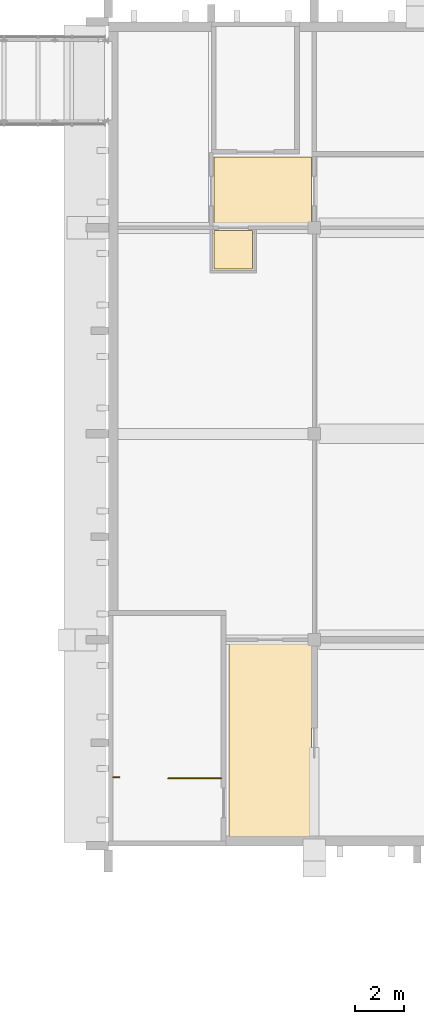
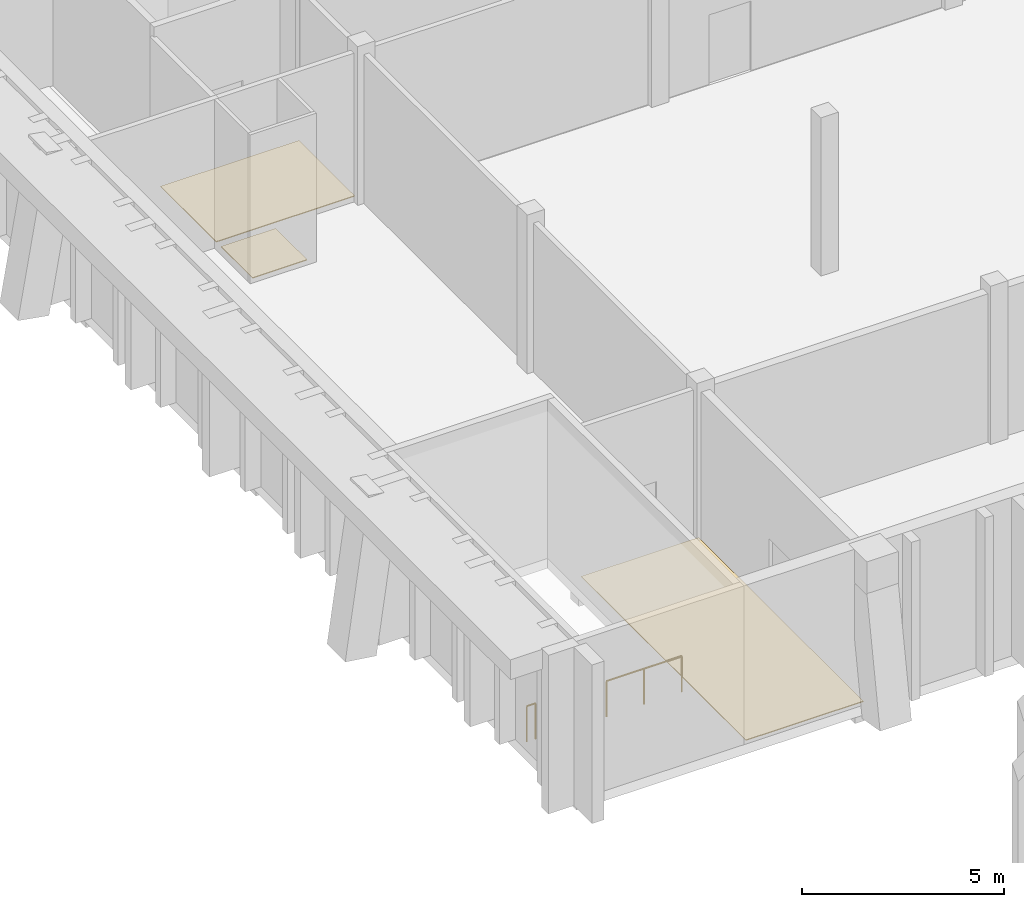
# One storey, part 79 of 86: 3 coverings, 2 railings.
"""IFC4 building model written with IfcOpenShell, lengths in metres."""

from ifc_helpers import new_model, si_unit, direction, frame, origin, origin_2d, place, context, subcontext, project, spatial, polyline, circle, outline, extrude, material, layer, layer_set, type_object, element, save


model = new_model("IFC4")

# Units and contexts
model_context = context("Model", 3, precision=1e-05, world=origin(), true_north=direction((0.0, 1.0)))
body_context = subcontext(model_context, "Body", "Model", "MODEL_VIEW")
ifc_project = project(units=[si_unit("LENGTHUNIT", "METRE"), si_unit("AREAUNIT", "SQUARE_METRE"), si_unit("VOLUMEUNIT", "CUBIC_METRE"), si_unit("PLANEANGLEUNIT", "RADIAN"), si_unit("MASSUNIT", "GRAM", prefix="KILO")], contexts=[model_context])

# Site, building, storey
site_placement = place(None, origin())
site = spatial("IfcSite", under=ifc_project, at=site_placement, CompositionType="ELEMENT")
building_placement = place(site_placement, origin())
building = spatial("IfcBuilding", under=site, at=building_placement, Name="Kiln Court Media Centre", CompositionType="ELEMENT")
storey_placement = place(building_placement, frame((0.0, 0.0, 10.199951171875)))
storey = spatial("IfcBuildingStorey", under=building, at=storey_placement, Name="L02", CompositionType="ELEMENT", Elevation=10.199951171875)

# Coverings
ifc_material_1 = material(Name="Terrazzo")
ifc_layer = layer(ifc_material_1, 0.02490234375)
ifc_layer_set = layer_set([ifc_layer], Name="Polished terrazzo floor finish 25")
covering_type = type_object("IfcCoveringType", Name="Polished terrazzo floor finish 25", PredefinedType="FLOORING", material=ifc_layer_set)
covering_1_placement = place(storey_placement, origin())
element("IfcCovering", 1, at=covering_1_placement, inside=storey, type_object=covering_type, Name="Studio Lobby floor finish", PredefinedType="FLOORING", context=body_context, shape_type="SweptSolid", body=[
    extrude(outline(polyline([(125.8798828125, 41.8798828125), (122.52001953125, 41.8798828125), (122.52001953125, 33.719970703125), (125.8798828125, 33.719970703125), (125.8798828125, 41.8798828125)])), origin(), (0.0, 0.0, 1.0), 0.025146484375),
])
covering_2_placement = place(storey_placement, origin())
element("IfcCovering", 2, at=covering_2_placement, inside=storey, type_object=covering_type, Name="Wheelchair Refuge floor finish", PredefinedType="FLOORING", context=body_context, shape_type="SweptSolid", body=[
    extrude(outline(polyline([(121.919921875, 57.1201171875), (123.47998046875, 57.1201171875), (123.47998046875, 58.679931640625), (121.919921875, 58.679931640625), (121.919921875, 57.1201171875)])), origin(), (0.0, 0.0, 1.0), 0.025146484375),
])
covering_3_placement = place(storey_placement, origin())
element("IfcCovering", 3, at=covering_3_placement, inside=storey, type_object=covering_type, Name="Fire-fighting Lift Lobby floor finish", PredefinedType="FLOORING", context=body_context, shape_type="SweptSolid", body=[
    extrude(outline(polyline([(121.919921875, 58.919921875), (125.8798828125, 58.919921875), (125.8798828125, 61.679931640625), (121.919921875, 61.679931640625), (121.919921875, 58.919921875)])), origin(), (0.0, 0.0, 1.0), 0.025146484375),
])

# Railings
ifc_material_2 = material(Name="Steel S275", Category="steel")
railing_type = type_object("IfcRailingType", Name="Steel S275 stair guard 1100", PredefinedType="GUARDRAIL", material=ifc_material_2)
railing_1_placement = place(storey_placement, frame((118.050048828125, 36.39990234375, 0.0)))
element("IfcRailing", 4, at=railing_1_placement, inside=storey, type_object=railing_type, Name="ST-13 landing edge guard", PredefinedType="GUARDRAIL", context=body_context, shape_type="SweptSolid", body=[
    extrude(circle(Radius=0.02392578125, at=origin_2d()), frame((0.0, 0.0, 1.076171875), z_axis=(-1.0, 0.0, 0.0), x_axis=(0.0, -1.0, 0.0)), (0.0, 0.0, 1.0), 0.25),
    extrude(circle(Radius=0.02099609375, at=origin_2d()), origin(), (0.0, 0.0, 1.0), 1.052001953125),
    extrude(circle(Radius=0.02099609375, at=origin_2d()), frame((-0.25, 0.0, 0.0)), (0.0, 0.0, 1.0), 1.052001953125),
])
railing_2_placement = place(storey_placement, frame((122.199951171875, 36.35009765625, 0.0)))
element("IfcRailing", 5, at=railing_2_placement, inside=storey, type_object=railing_type, Name="ST-13 top floor guard", PredefinedType="GUARDRAIL", context=body_context, shape_type="SweptSolid", body=[
    extrude(circle(Radius=0.02392578125, at=origin_2d()), frame((0.0, 0.0, 1.076171875), z_axis=(-1.0, 0.0, 0.0), x_axis=(0.0, -1.0, 0.0)), (0.0, 0.0, 1.0), 2.14990234375),
    extrude(circle(Radius=0.02099609375, at=origin_2d()), origin(), (0.0, 0.0, 1.0), 1.052001953125),
    extrude(circle(Radius=0.02099609375, at=origin_2d()), frame((-1.074951171875, 0.0, 0.0)), (0.0, 0.0, 1.0), 1.052001953125),
    extrude(circle(Radius=0.02099609375, at=origin_2d()), frame((-2.14990234375, 0.0, 0.0)), (0.0, 0.0, 1.0), 1.052001953125),
])

save(model, "model.ifc")
